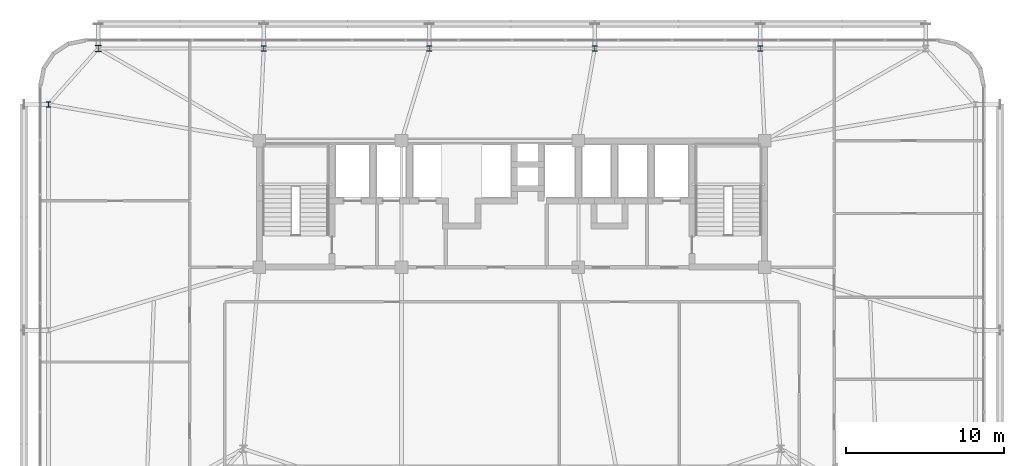
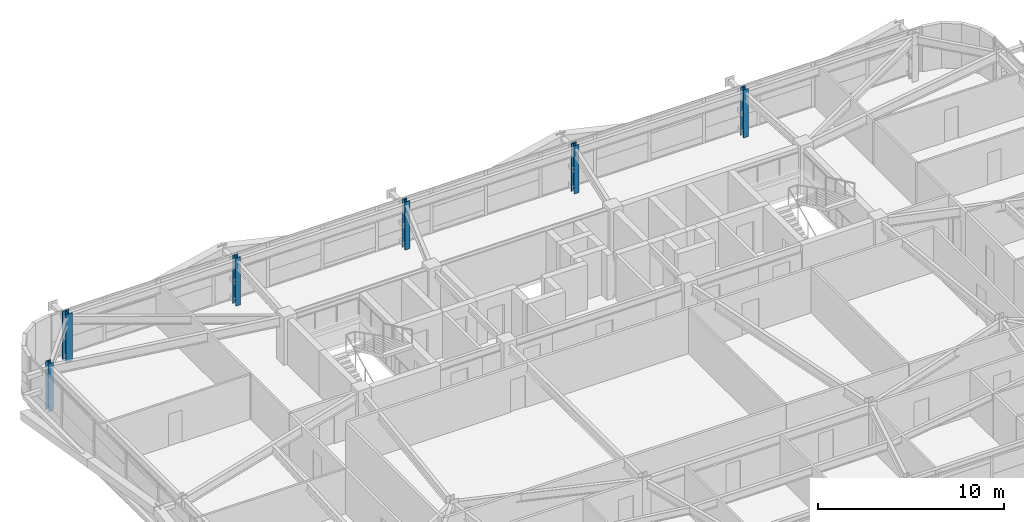
# One storey, part 3 of 58: 6 columns.
"""IFC4 building model written with IfcOpenShell, lengths in metres."""

import ifcopenshell
import ifcopenshell.guid

model = None  # the IFC model being written
_history = None  # IfcOwnerHistory: only IFC2X3 demands one
_inside = {}  # id of a spatial element -> (the spatial element, [elements in it])
_under = {}  # id of a project, library or spatial element -> (it, [spatial elements below it])
_declared = {}  # id of a project -> (the project, [libraries it declares])
_typed = {}  # id of a type object -> (the type object, [elements of that type])
_made_of = {}  # id of a material, layer set ... -> (it, [elements and type objects made of it])


def new_model(schema):
    """Start an empty IFC model of exactly this schema.

    Asked for "IFC4X3", IfcOpenShell would pick the latest addendum, in which some entities
    have other attributes; the version numbers below select the first issue.
    IFC2X3 requires an IfcOwnerHistory on every rooted entity: one is made here for all.
    """
    global model, _history
    if schema == "IFC4X3":
        model = ifcopenshell.file(schema_version=(4, 3, 0, 0))
    else:
        model = ifcopenshell.file(schema=schema)
    _inside.clear()
    _under.clear()
    _declared.clear()
    _typed.clear()
    _made_of.clear()
    _history = None
    if model.schema == "IFC2X3":
        org = make("IfcOrganization", Name="unknown")
        user = make(
            "IfcPersonAndOrganization",
            ThePerson=make("IfcPerson", FamilyName="unknown"),
            TheOrganization=org,
        )
        app = make(
            "IfcApplication",
            ApplicationDeveloper=org,
            Version="unknown",
            ApplicationFullName="unknown",
            ApplicationIdentifier="unknown",
        )
        _history = make(
            "IfcOwnerHistory",
            OwningUser=user,
            OwningApplication=app,
            ChangeAction="ADDED",
            CreationDate=0,
        )
    return model


def make(cls, **values):
    """One entity of the class cls with the attributes given. An attribute that is None is left unset."""
    return model.create_entity(
        cls, **{name: value for name, value in values.items() if value is not None}
    )


def rooted(cls, **values):
    """An entity with a GlobalId (a new one), such as an element, a storey or a relation."""
    return make(cls, GlobalId=ifcopenshell.guid.new(), OwnerHistory=_history, **values)


def si_unit(unit_type, name, prefix=None):
    """IfcSIUnit, for example si_unit("LENGTHUNIT", "METRE", prefix="MILLI")."""
    return make("IfcSIUnit", UnitType=unit_type, Prefix=prefix, Name=name)


def assignment(units):
    """IfcUnitAssignment: the units of a project."""
    return None if units is None else make("IfcUnitAssignment", Units=units)


def point(xyz):
    """IfcCartesianPoint."""
    return None if xyz is None else make("IfcCartesianPoint", Coordinates=xyz)


def direction(xyz):
    """IfcDirection."""
    return None if xyz is None else make("IfcDirection", DirectionRatios=xyz)


def frame(location, z_axis=None, x_axis=None):
    """IfcAxis2Placement3D, a coordinate frame: its origin and axes. An axis left out is left unset."""
    return make(
        "IfcAxis2Placement3D",
        Location=point(location),
        Axis=direction(z_axis),
        RefDirection=direction(x_axis),
    )


def frame_2d(location, x_axis=None):
    """IfcAxis2Placement2D, a coordinate frame in the plane: its origin and x axis."""
    return make(
        "IfcAxis2Placement2D", Location=point(location), RefDirection=direction(x_axis)
    )


def origin():
    """The frame at (0, 0, 0) with its axes left unset."""
    return frame((0.0, 0.0, 0.0))


def origin_2d():
    """The frame at (0, 0) in the plane with its x axis left unset."""
    return frame_2d((0.0, 0.0))


def place(relative_to, where):
    """IfcLocalPlacement: puts the frame where relative to a parent placement (None: the world)."""
    return make(
        "IfcLocalPlacement", PlacementRelTo=relative_to, RelativePlacement=where
    )


def context(
    kind, dimensions, precision=None, world=None, true_north=None, identifier=None
):
    """IfcGeometricRepresentationContext, for example the 3D "Model" context."""
    return make(
        "IfcGeometricRepresentationContext",
        ContextIdentifier=identifier,
        ContextType=kind,
        CoordinateSpaceDimension=dimensions,
        Precision=precision,
        WorldCoordinateSystem=world,
        TrueNorth=true_north,
    )


def subcontext(parent, identifier, kind, view, scale=None):
    """IfcGeometricRepresentationSubContext, for example "Body" below "Model"."""
    return make(
        "IfcGeometricRepresentationSubContext",
        ContextIdentifier=identifier,
        ContextType=kind,
        ParentContext=parent,
        TargetScale=scale,
        TargetView=view,
    )


def project(units=None, contexts=None):
    """IfcProject with its units and contexts."""
    return rooted(
        "IfcProject",
        Name="project",
        RepresentationContexts=contexts,
        UnitsInContext=assignment(units),
    )


def spatial(cls, under=None, at=None, **own):
    """A site, building, storey or space (cls), placed at a placement, below another one or the project."""
    s = rooted(cls, ObjectPlacement=at, **own)
    if under is not None:
        _under.setdefault(under.id(), (under, []))[1].append(s)
    return s


def profile(cls, at=None, kind="AREA", **sizes):
    """A parametric profile (cls). Its sizes go by their IFC names, for example OverallWidth=200.0."""
    return make(cls, ProfileType=kind, Position=at, **sizes)


def i_section(**sizes):
    """IfcIShapeProfileDef."""
    return profile("IfcIShapeProfileDef", **sizes)


def extrude(swept, where, along, depth):
    """IfcExtrudedAreaSolid: the profile swept, set in the frame where, extruded along a direction by depth."""
    return make(
        "IfcExtrudedAreaSolid",
        SweptArea=swept,
        Position=where,
        ExtrudedDirection=direction(along),
        Depth=depth,
    )


def shape(context_of_items, identifier, shape_type, items):
    """IfcShapeRepresentation: the items that make up one representation, for example the "Body"."""
    return make(
        "IfcShapeRepresentation",
        ContextOfItems=context_of_items,
        RepresentationIdentifier=identifier,
        RepresentationType=shape_type,
        Items=items,
    )


def source(mapping_origin, context_of_items, identifier, shape_type, items):
    """IfcRepresentationMap: a shape defined once, which mapped items show again and again."""
    return make(
        "IfcRepresentationMap",
        MappingOrigin=mapping_origin,
        MappedRepresentation=shape(context_of_items, identifier, shape_type, items),
    )


def transform(
    local_origin,
    x_axis=None,
    y_axis=None,
    z_axis=None,
    scale=None,
    scale2=None,
    scale3=None,
    uniform=True,
):
    """IfcCartesianTransformationOperator3D, or its non-uniform kind. x_axis, y_axis, z_axis: its Axis1, 2, 3."""
    if uniform:
        return make(
            "IfcCartesianTransformationOperator3D",
            Axis1=direction(x_axis),
            Axis2=direction(y_axis),
            LocalOrigin=point(local_origin),
            Scale=scale,
            Axis3=direction(z_axis),
        )
    return make(
        "IfcCartesianTransformationOperator3DnonUniform",
        Axis1=direction(x_axis),
        Axis2=direction(y_axis),
        LocalOrigin=point(local_origin),
        Scale=scale,
        Axis3=direction(z_axis),
        Scale2=scale2,
        Scale3=scale3,
    )


def mapped(mapping_source, mapping_target):
    """IfcMappedItem: shows the shape of a source again, moved by a transform."""
    return make(
        "IfcMappedItem", MappingSource=mapping_source, MappingTarget=mapping_target
    )


def material(Name=None, Category=None):
    """IfcMaterial."""
    return make("IfcMaterial", Name=Name, Category=Category)


def material_profile(
    of_material, cross_section, Name=None, Category=None, Priority=None
):
    """IfcMaterialProfile: a cross section and its material."""
    return make(
        "IfcMaterialProfile",
        Name=Name,
        Material=of_material,
        Profile=cross_section,
        Priority=Priority,
        Category=Category,
    )


def profile_set(profiles, Name=None, composite=None):
    """IfcMaterialProfileSet."""
    return make(
        "IfcMaterialProfileSet",
        Name=Name,
        MaterialProfiles=profiles,
        CompositeProfile=composite,
    )


def made_of(thing, what):
    """Note that an element or type object is made of a material, layer set ...; save() writes the relation."""
    if what is not None:
        _made_of.setdefault(what.id(), (what, []))[1].append(thing)
    return thing


def type_object(cls, material=None, **own):
    """A type object (cls), such as IfcWallType, which elements share."""
    return made_of(rooted(cls, **own), material)


def element(
    cls,
    number,
    at=None,
    inside=None,
    cuts=None,
    type_object=None,
    material=None,
    context=None,
    identifier="Body",
    shape_type=None,
    held_by="IfcProductDefinitionShape",
    body=None,
    shapes=None,
    **own,
):
    """One element of the class cls, such as IfcWall. Its Tag is "e" and its number.

    at: its placement. inside: the storey or other place that contains it. cuts: it is an
    opening in that element (IfcRelVoidsElement). A single representation is given by context,
    identifier, shape_type and body (its items); several are given by shapes. held_by: the class
    of the entity that holds the representations. save() writes the other relations.
    """
    e = rooted(cls, Tag="e%d" % number, ObjectPlacement=at, **own)
    if body is not None:
        shapes = [shape(context, identifier, shape_type, body)]
    if shapes is not None:
        e.Representation = make(held_by, Representations=shapes)
    if inside is not None:
        _inside.setdefault(inside.id(), (inside, []))[1].append(e)
    if cuts is not None:
        rooted(
            "IfcRelVoidsElement", RelatingBuildingElement=cuts, RelatedOpeningElement=e
        )
    if type_object is not None:
        _typed.setdefault(type_object.id(), (type_object, []))[1].append(e)
    return made_of(e, material)


def aggregate(whole, parts):
    """IfcRelAggregates: a whole, such as a stair, and the parts it consists of."""
    return rooted("IfcRelAggregates", RelatingObject=whole, RelatedObjects=parts)


def save(model, path):
    """Write the relations noted so far, then the file.

    IfcRelAggregates (storeys below a building ...), IfcRelContainedInSpatialStructure (elements
    in a storey), IfcRelDefinesByType, IfcRelAssociatesMaterial and IfcRelDeclares: one each for
    every whole, place, type object, material and project.
    """
    for whole, parts in _under.values():
        aggregate(whole, parts)
    for where, things in _inside.values():
        rooted(
            "IfcRelContainedInSpatialStructure",
            RelatedElements=things,
            RelatingStructure=where,
        )
    for kind, things in _typed.values():
        rooted("IfcRelDefinesByType", RelatedObjects=things, RelatingType=kind)
    for what, things in _made_of.values():
        rooted("IfcRelAssociatesMaterial", RelatedObjects=things, RelatingMaterial=what)
    for by, libraries in _declared.values():
        rooted("IfcRelDeclares", RelatingContext=by, RelatedDefinitions=libraries)
    model.write(path)


model = new_model("IFC4")

# Units and contexts
model_context = context("Model", 3, precision=1e-05, world=origin(), true_north=direction((0.0, 1.0)))
body_context = subcontext(model_context, "Body", "Model", "MODEL_VIEW")
ifc_project = project(units=[si_unit("LENGTHUNIT", "METRE"), si_unit("AREAUNIT", "SQUARE_METRE"), si_unit("VOLUMEUNIT", "CUBIC_METRE"), si_unit("PLANEANGLEUNIT", "RADIAN"), si_unit("MASSUNIT", "GRAM", prefix="KILO")], contexts=[model_context])

# Site, building, storey
site_placement = place(None, origin())
site = spatial("IfcSite", under=ifc_project, at=site_placement, CompositionType="ELEMENT")
building_placement = place(site_placement, origin())
building = spatial("IfcBuilding", under=site, at=building_placement, Name="Taldren Reach Tower", CompositionType="ELEMENT")
storey_placement = place(building_placement, frame((0.0, 0.0, 54.60009765625)))
storey = spatial("IfcBuildingStorey", under=building, at=storey_placement, Name="L16", CompositionType="ELEMENT", Elevation=54.60009765625)

# Columns
ifc_material = material(Name="Steel Gr 350 (350PLUS)", Category="steel")
ifc_material_profile_1 = material_profile(ifc_material, i_section(OverallWidth=0.39990234375, OverallDepth=0.39599609375, WebThickness=0.02197265625, FlangeThickness=0.033935546875, at=origin_2d()), Name="400WC270")
ifc_profile_set_1 = profile_set([ifc_material_profile_1], Name="Steel Gr 350 (350PLUS)")
column_type_1 = type_object("IfcColumnType", Name="COL-WC400", PredefinedType="COLUMN", material=ifc_profile_set_1)
shared_shape_1 = source(origin(), body_context, "Body", "SweptSolid", [
    extrude(i_section(OverallWidth=0.39990234375, OverallDepth=0.39599609375, WebThickness=0.02197265625, FlangeThickness=0.033935546875, at=origin_2d()), origin(), (0.0, 0.0, 1.0), 3.14990234375),
])
column_placement = place(storey_placement, frame((8.800048828125, 37.85009765625, 0.0), z_axis=(0.0, 0.0, 1.0), x_axis=(1.0, 0.0, 0.0)))
element("IfcColumn", 1, at=column_placement, inside=storey, type_object=column_type_1, Name="Block B1 perimeter column N1 L16", PredefinedType="COLUMN", context=body_context, shape_type="MappedRepresentation", body=[
    mapped(shared_shape_1, transform((0.0, 0.0, 0.0), scale=1.0)),
])
ifc_material_profile_2 = material_profile(ifc_material, i_section(OverallWidth=0.31103515625, OverallDepth=0.326904296875, WebThickness=0.015625, FlangeThickness=0.02490234375, at=origin_2d()), Name="310UC158")
ifc_profile_set_2 = profile_set([ifc_material_profile_2], Name="Steel Gr 350 (350PLUS)")
column_type_2 = type_object("IfcColumnType", Name="COL-UC310A", PredefinedType="COLUMN", material=ifc_profile_set_2)
shared_shape_2 = source(origin(), body_context, "Body", "SweptSolid", [
    extrude(i_section(OverallWidth=0.31103515625, OverallDepth=0.326904296875, WebThickness=0.015625, FlangeThickness=0.02490234375, at=origin_2d()), origin(), (0.0, 0.0, 1.0), 3.14990234375),
])
for number, where, z_axis, x_axis, name in (
    (2, (19.280029296875, 37.85009765625, 0.0), (0.0, 0.0, 1.0), (1.0, 0.0, 0.0), "Block B1 perimeter column N2 L16"),
    (3, (29.760009765625, 37.85009765625, 0.0), (0.0, 0.0, 1.0), (1.0, 0.0, 0.0), "Block B1 perimeter column N3 L16"),
    (4, (40.239990234375, 37.85009765625, 0.0), (0.0, 0.0, 1.0), (1.0, 0.0, 0.0), "Block B1 perimeter column N4 L16"),
    (5, (50.719970703125, 37.85009765625, 0.0), (0.0, 0.0, 1.0), (1.0, 0.0, 0.0), "Block B1 perimeter column N5 L16"),
    (6, (5.64990234375, 34.300048828125, 0.0), (0.0, 0.0, 1.0), (1.0, 0.0, 0.0), "Block B1 perimeter column W3 L16"),
):
    element("IfcColumn", number, at=place(storey_placement, frame(where, z_axis=z_axis, x_axis=x_axis)), inside=storey, type_object=column_type_2, Name=name, PredefinedType="COLUMN", context=body_context, shape_type="MappedRepresentation", body=[
        mapped(shared_shape_2, transform((0.0, 0.0, 0.0), scale=1.0)),
    ])

save(model, "model.ifc")
